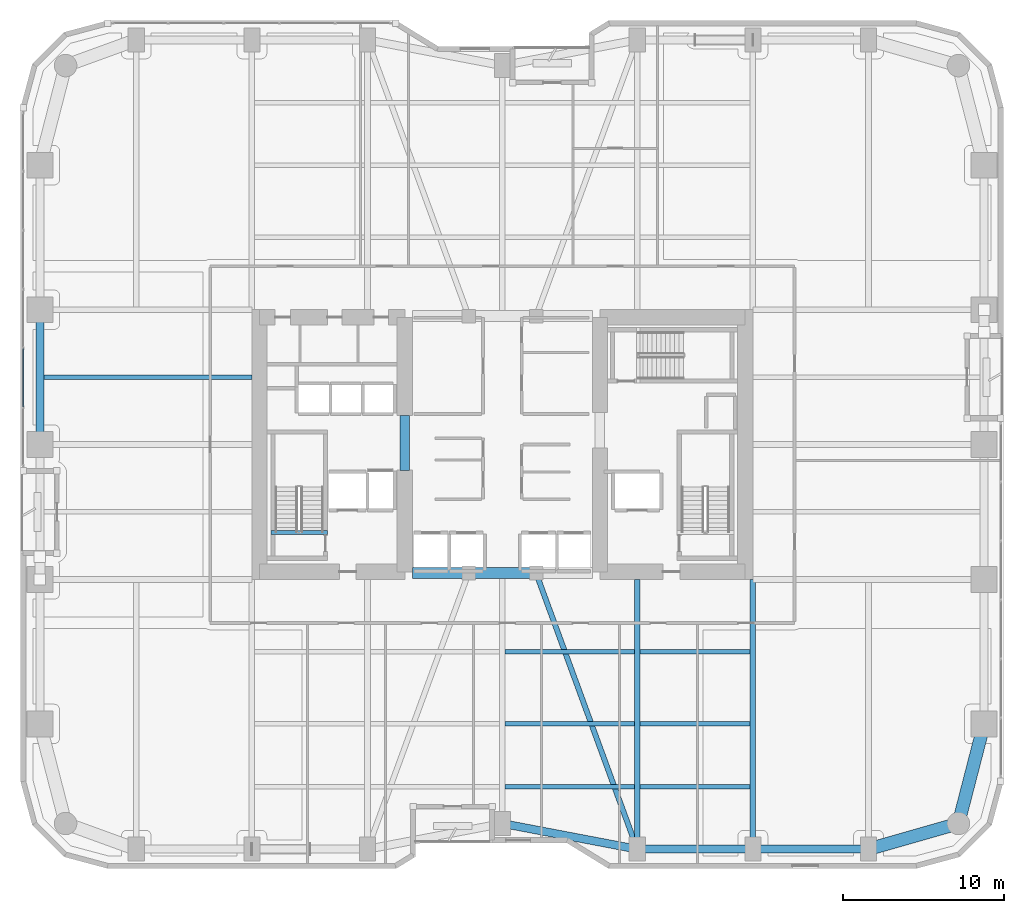
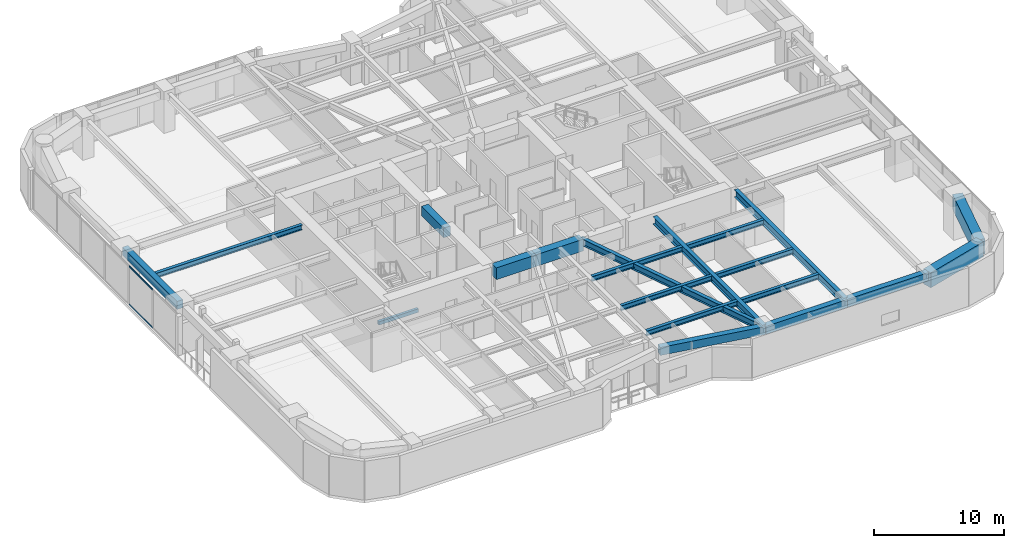
# One storey, part 3 of 29: 20 beams, 2 members, 1 element without a shape of its own.
"""IFC4 building model written with IfcOpenShell, lengths in metres."""

from ifc_helpers import new_model, si_unit, direction, frame, origin, origin_2d, place, context, subcontext, project, spatial, rectangle, hollow_rectangle, i_section, extrude, material, layer, layer_set, material_profile, profile_set, type_object, element, aggregate, save


model = new_model("IFC4")

# Units and contexts
model_context = context("Model", 3, precision=1e-05, world=origin(), true_north=direction((0.0, 1.0)))
body_context = subcontext(model_context, "Body", "Model", "MODEL_VIEW")
ifc_project = project(units=[si_unit("LENGTHUNIT", "METRE"), si_unit("AREAUNIT", "SQUARE_METRE"), si_unit("VOLUMEUNIT", "CUBIC_METRE"), si_unit("PLANEANGLEUNIT", "RADIAN"), si_unit("MASSUNIT", "GRAM", prefix="KILO")], contexts=[model_context])

# Site, building, storey
site_placement = place(None, origin())
site = spatial("IfcSite", under=ifc_project, at=site_placement, CompositionType="ELEMENT")
building_placement = place(site_placement, origin())
building = spatial("IfcBuilding", under=site, at=building_placement, Name="Kiyonajd Concourse Tower", CompositionType="ELEMENT")
storey_placement = place(building_placement, frame((0.0, 0.0, 52.800048828125)))
storey = spatial("IfcBuildingStorey", under=building, at=storey_placement, Name="L14", CompositionType="ELEMENT", Elevation=52.800048828125)

# Beams
ifc_material_1 = material(Name="Concrete C70/85", Category="concrete")
ifc_material_profile_1 = material_profile(ifc_material_1, rectangle(XDim=0.699951171875, YDim=1.10009765625, at=origin_2d()), Name="RCBM-700x1100")
ifc_profile_set_1 = profile_set([ifc_material_profile_1], Name="Concrete C70/85")
beam_type_1 = type_object("IfcBeamType", Name="BM-COUP-1100", PredefinedType="LINTEL", material=ifc_profile_set_1)
beam_1_placement = place(storey_placement, frame((42.39990234375, 28.0, 3.08984375), z_axis=(1.0, 0.0, 0.0), x_axis=(0.0, 1.0, 0.0)))
element("IfcBeam", 1, at=beam_1_placement, inside=storey, type_object=beam_type_1, Name="L14 Core Coupling Beam S1", PredefinedType="LINTEL", context=body_context, shape_type="SweptSolid", body=[
    extrude(rectangle(XDim=0.699951171875, YDim=1.10009765625, at=origin_2d()), origin(), (0.0, 0.0, 1.0), 3.5),
])
beam_2_placement = place(storey_placement, frame((45.89990234375, 28.0, 3.08984375), z_axis=(1.0, 0.0, 0.0), x_axis=(0.0, 1.0, 0.0)))
element("IfcBeam", 2, at=beam_2_placement, inside=storey, type_object=beam_type_1, Name="L14 Core Coupling Beam S2", PredefinedType="LINTEL", context=body_context, shape_type="SweptSolid", body=[
    extrude(rectangle(XDim=0.699951171875, YDim=1.10009765625, at=origin_2d()), origin(), (0.0, 0.0, 1.0), 4.2001953125),
])
ifc_material_2 = material(Name="Concrete C60/75", Category="concrete")
ifc_material_profile_2 = material_profile(ifc_material_2, rectangle(XDim=0.60009765625, YDim=0.89990234375, at=origin_2d()), Name="RCBM-600x900")
ifc_profile_set_2 = profile_set([ifc_material_profile_2], Name="Concrete C60/75")
beam_type_2 = type_object("IfcBeamType", Name="BM-COUP-900", PredefinedType="LINTEL", material=ifc_profile_set_2)
beam_3_placement = place(storey_placement, frame((41.925048828125, 34.39990234375, 3.08984375), z_axis=(0.0, 1.0, 0.0), x_axis=(-1.0, 0.0, 0.0)))
element("IfcBeam", 3, at=beam_3_placement, inside=storey, type_object=beam_type_2, Name="L14 West Core Throat Coupling Lintel", PredefinedType="LINTEL", context=body_context, shape_type="SweptSolid", body=[
    extrude(rectangle(XDim=0.60009765625, YDim=0.89990234375, at=origin_2d()), origin(), (0.0, 0.0, 1.0), 3.400146484375),
])
ifc_material_3 = material(Name="Steel ASTM A992 Grade 50", Category="steel")
ifc_material_profile_3 = material_profile(ifc_material_3, i_section(OverallWidth=0.280029296875, OverallDepth=0.462890625, WebThickness=0.0107421875, FlangeThickness=0.017333984375, at=origin_2d()), Name="W460X113")
ifc_profile_set_3 = profile_set([ifc_material_profile_3], Name="Steel ASTM A992 Grade 50")
beam_type_3 = type_object("IfcBeamType", Name="BM-JST-460A", PredefinedType="JOIST", material=ifc_profile_set_3)
beam_4_placement = place(storey_placement, frame((48.177490234375, 14.699951171875, 3.408447265625), z_axis=(1.0, 0.0, 0.0), x_axis=(0.0, 1.0, 0.0)))
element("IfcBeam", 4, at=beam_4_placement, inside=storey, type_object=beam_type_3, Name="L14 Secondary Floor Joist", PredefinedType="JOIST", context=body_context, shape_type="SweptSolid", body=[
    extrude(i_section(OverallWidth=0.280029296875, OverallDepth=0.462890625, WebThickness=0.0107421875, FlangeThickness=0.017333984375, at=origin_2d()), origin(), (0.0, 0.0, 1.0), 8.044921875),
])
beam_5_placement = place(storey_placement, frame((56.577392578125, 14.699951171875, 3.408447265625), z_axis=(1.0, 0.0, 0.0), x_axis=(0.0, 1.0, 0.0)))
element("IfcBeam", 5, at=beam_5_placement, inside=storey, type_object=beam_type_3, Name="L14 Secondary Floor Joist", PredefinedType="JOIST", context=body_context, shape_type="SweptSolid", body=[
    extrude(i_section(OverallWidth=0.280029296875, OverallDepth=0.462890625, WebThickness=0.0107421875, FlangeThickness=0.017333984375, at=origin_2d()), origin(), (0.0, 0.0, 1.0), 6.84521484375),
])
beam_6_placement = place(storey_placement, frame((48.177490234375, 18.60009765625, 3.408447265625), z_axis=(1.0, 0.0, 0.0), x_axis=(0.0, 1.0, 0.0)))
element("IfcBeam", 6, at=beam_6_placement, inside=storey, type_object=beam_type_3, Name="L14 Secondary Floor Joist", PredefinedType="JOIST", context=body_context, shape_type="SweptSolid", body=[
    extrude(i_section(OverallWidth=0.280029296875, OverallDepth=0.462890625, WebThickness=0.0107421875, FlangeThickness=0.017333984375, at=origin_2d()), origin(), (0.0, 0.0, 1.0), 8.044921875),
])
beam_7_placement = place(storey_placement, frame((56.577392578125, 18.60009765625, 3.408447265625), z_axis=(1.0, 0.0, 0.0), x_axis=(0.0, 1.0, 0.0)))
element("IfcBeam", 7, at=beam_7_placement, inside=storey, type_object=beam_type_3, Name="L14 Secondary Floor Joist", PredefinedType="JOIST", context=body_context, shape_type="SweptSolid", body=[
    extrude(i_section(OverallWidth=0.280029296875, OverallDepth=0.462890625, WebThickness=0.0107421875, FlangeThickness=0.017333984375, at=origin_2d()), origin(), (0.0, 0.0, 1.0), 6.84521484375),
])
beam_8_placement = place(storey_placement, frame((48.177490234375, 23.10009765625, 3.408447265625), z_axis=(1.0, 0.0, 0.0), x_axis=(0.0, 1.0, 0.0)))
element("IfcBeam", 8, at=beam_8_placement, inside=storey, type_object=beam_type_3, Name="L14 Secondary Floor Joist", PredefinedType="JOIST", context=body_context, shape_type="SweptSolid", body=[
    extrude(i_section(OverallWidth=0.280029296875, OverallDepth=0.462890625, WebThickness=0.0107421875, FlangeThickness=0.017333984375, at=origin_2d()), origin(), (0.0, 0.0, 1.0), 8.044921875),
])
beam_9_placement = place(storey_placement, frame((56.577392578125, 23.10009765625, 3.408447265625), z_axis=(1.0, 0.0, 0.0), x_axis=(0.0, 1.0, 0.0)))
element("IfcBeam", 9, at=beam_9_placement, inside=storey, type_object=beam_type_3, Name="L14 Secondary Floor Joist", PredefinedType="JOIST", context=body_context, shape_type="SweptSolid", body=[
    extrude(i_section(OverallWidth=0.280029296875, OverallDepth=0.462890625, WebThickness=0.0107421875, FlangeThickness=0.017333984375, at=origin_2d()), origin(), (0.0, 0.0, 1.0), 6.84521484375),
])
beam_10_placement = place(storey_placement, frame((19.449951171875, 40.199951171875, 3.408447265625), z_axis=(1.0, 0.0, 0.0), x_axis=(0.0, 1.0, 0.0)))
element("IfcBeam", 10, at=beam_10_placement, inside=storey, type_object=beam_type_3, Name="L14 West Secondary Floor Joist", PredefinedType="JOIST", context=body_context, shape_type="SweptSolid", body=[
    extrude(i_section(OverallWidth=0.280029296875, OverallDepth=0.462890625, WebThickness=0.0107421875, FlangeThickness=0.017333984375, at=origin_2d()), origin(), (0.0, 0.0, 1.0), 12.949951171875),
])
ifc_material_4 = material(Name="Concrete C50/60", Category="concrete")
ifc_material_profile_4 = material_profile(ifc_material_4, rectangle(XDim=0.239990234375, YDim=0.320068359375, at=origin_2d()), Name="RCBM-240x320")
ifc_profile_set_4 = profile_set([ifc_material_profile_4], Name="Concrete C50/60")
beam_type_4 = type_object("IfcBeamType", Name="BM-LNT-250", PredefinedType="LINTEL", material=ifc_profile_set_4)
beam_11_placement = place(storey_placement, frame((33.590087890625, 30.530029296875, -0.16015625), z_axis=(1.0, 0.0, 0.0), x_axis=(0.0, 1.0, 0.0)))
element("IfcBeam", 11, at=beam_11_placement, inside=storey, type_object=beam_type_4, Name="L14 Stair ST1 Threshold Support Beam", PredefinedType="LINTEL", context=body_context, shape_type="SweptSolid", body=[
    extrude(rectangle(XDim=0.239990234375, YDim=0.320068359375, at=origin_2d()), origin(), (0.0, 0.0, 1.0), 3.52001953125),
])
ifc_material_5 = material(Name="Precast concrete C50/60", Category="concrete")
ifc_material_profile_5 = material_profile(ifc_material_5, rectangle(XDim=0.5, YDim=0.75, at=origin_2d()), Name="RCBM-500x750")
ifc_profile_set_5 = profile_set([ifc_material_profile_5], Name="Precast concrete C50/60")
beam_type_5 = type_object("IfcBeamType", Name="BM-SPAN-RC", PredefinedType="SPANDREL", material=ifc_profile_set_5)
beam_12_placement = place(storey_placement, frame((48.0, 12.39990234375, 3.264892578125), z_axis=(0.982341315253, -0.187097675953, 0.0), x_axis=(0.187097675953, 0.982341315253, 0.0)))
element("IfcBeam", 12, at=beam_12_placement, inside=storey, type_object=beam_type_5, Name="L14 Perimeter Bundled Tube Spandrel", PredefinedType="SPANDREL", context=body_context, shape_type="SweptSolid", body=[
    extrude(rectangle(XDim=0.5, YDim=0.75, at=origin_2d()), origin(), (0.0, 0.0, 1.0), 8.55078125),
])
beam_13_placement = place(storey_placement, frame((56.39990234375, 10.800048828125, 3.264892578125), z_axis=(1.0, 0.0, 0.0), x_axis=(0.0, 1.0, 0.0)))
element("IfcBeam", 13, at=beam_13_placement, inside=storey, type_object=beam_type_5, Name="L14 Perimeter Bundled Tube Spandrel", PredefinedType="SPANDREL", context=body_context, shape_type="SweptSolid", body=[
    extrude(rectangle(XDim=0.5, YDim=0.75, at=origin_2d()), origin(), (0.0, 0.0, 1.0), 7.2001953125),
])
beam_14_placement = place(storey_placement, frame((63.60009765625, 10.800048828125, 3.264892578125), z_axis=(1.0, 0.0, 0.0), x_axis=(0.0, 1.0, 0.0)))
element("IfcBeam", 14, at=beam_14_placement, inside=storey, type_object=beam_type_5, Name="L14 Perimeter Bundled Tube Spandrel", PredefinedType="SPANDREL", context=body_context, shape_type="SweptSolid", body=[
    extrude(rectangle(XDim=0.5, YDim=0.75, at=origin_2d()), origin(), (0.0, 0.0, 1.0), 7.199951171875),
])
beam_15_placement = place(storey_placement, frame((19.199951171875, 44.39990234375, 3.264892578125), z_axis=(0.0, -1.0, 0.0), x_axis=(1.0, 0.0, 0.0)))
element("IfcBeam", 15, at=beam_15_placement, inside=storey, type_object=beam_type_5, Name="L14 Perimeter Bundled Tube Spandrel", PredefinedType="SPANDREL", context=body_context, shape_type="SweptSolid", body=[
    extrude(rectangle(XDim=0.5, YDim=0.75, at=origin_2d()), origin(), (0.0, 0.0, 1.0), 8.39990234375),
])
ifc_material_profile_6 = material_profile(ifc_material_3, i_section(OverallWidth=0.326904296875, OverallDepth=0.6220703125, WebThickness=0.015380859375, FlangeThickness=0.0244140625, at=origin_2d()), Name="W610X195")
ifc_profile_set_6 = profile_set([ifc_material_profile_6], Name="Steel ASTM A992 Grade 50")
beam_type_6 = type_object("IfcBeamType", Name="BM-TWR-610A", PredefinedType="BEAM", material=ifc_profile_set_6)
beam_16_placement = place(storey_placement, frame((50.10009765625, 28.0, 3.328857421875), z_axis=(0.343925269715, -0.938997022813, 0.0), x_axis=(0.938997022813, 0.343925269715, 0.0)))
element("IfcBeam", 16, at=beam_16_placement, inside=storey, type_object=beam_type_6, Name="L14 Core Tie Girder", PredefinedType="BEAM", context=body_context, shape_type="SweptSolid", body=[
    extrude(i_section(OverallWidth=0.326904296875, OverallDepth=0.6220703125, WebThickness=0.015380859375, FlangeThickness=0.0244140625, at=origin_2d()), origin(), (0.0, 0.0, 1.0), 18.3173828125),
])
ifc_material_profile_7 = material_profile(ifc_material_3, i_section(OverallWidth=0.35498046875, OverallDepth=0.695068359375, WebThickness=0.015380859375, FlangeThickness=0.02490234375, at=origin_2d()), Name="W690X217")
ifc_profile_set_7 = profile_set([ifc_material_profile_7], Name="Steel ASTM A992 Grade 50")
beam_type_7 = type_object("IfcBeamType", Name="BM-TWR-690", PredefinedType="BEAM", material=ifc_profile_set_7)
for number, where, z_axis, x_axis, name in (
    (17, (56.39990234375, 10.800048828125, 3.29248046875), (0.0, 1.0, 0.0), (-1.0, 0.0, 0.0), "L14 South Lease Girder"),
    (18, (63.60009765625, 10.800048828125, 3.29248046875), (0.0, 1.0, 0.0), (-1.0, 0.0, 0.0), "L14 South Lease Girder"),
):
    element("IfcBeam", number, at=place(storey_placement, frame(where, z_axis=z_axis, x_axis=x_axis)), inside=storey, type_object=beam_type_7, Name=name, PredefinedType="BEAM", context=body_context, shape_type="SweptSolid", body=[
        extrude(i_section(OverallWidth=0.35498046875, OverallDepth=0.695068359375, WebThickness=0.015380859375, FlangeThickness=0.02490234375, at=origin_2d()), origin(), (0.0, 0.0, 1.0), 16.800048828125),
    ])
ifc_material_profile_8 = material_profile(ifc_material_2, rectangle(XDim=0.800048828125, YDim=1.39990234375, at=origin_2d()), Name="RCBM-800x1400")
ifc_profile_set_8 = profile_set([ifc_material_profile_8], Name="Concrete C60/75")
beam_type_8 = type_object("IfcBeamType", Name="BM-XFER-RC", PredefinedType="BEAM", material=ifc_profile_set_8)
beam_17_placement = place(storey_placement, frame((70.800048828125, 10.800048828125, 2.93994140625), z_axis=(0.961528693205, 0.274704517878, 0.0), x_axis=(-0.274704517878, 0.961528693205, 0.0)))
element("IfcBeam", 19, at=beam_17_placement, inside=storey, type_object=beam_type_8, Name="L14 Perimeter Bundled Tube Spandrel", PredefinedType="BEAM", context=body_context, shape_type="SweptSolid", body=[
    extrude(rectangle(XDim=0.800048828125, YDim=1.39990234375, at=origin_2d()), origin(), (0.0, 0.0, 1.0), 5.823974609375),
])
beam_18_placement = place(storey_placement, frame((76.39990234375, 12.39990234375, 2.93994140625), z_axis=(0.249884937687, 0.968275538221, 0.0), x_axis=(-0.968275538221, 0.249884937687, 0.0)))
element("IfcBeam", 20, at=beam_18_placement, inside=storey, type_object=beam_type_8, Name="L14 Perimeter Bundled Tube Spandrel", PredefinedType="BEAM", context=body_context, shape_type="SweptSolid", body=[
    extrude(rectangle(XDim=0.800048828125, YDim=1.39990234375, at=origin_2d()), origin(), (0.0, 0.0, 1.0), 6.4033203125),
])

# Curtain wall, members
ifc_material_6 = material(Name="Thermally Broken Anodised Aluminium", Category="aluminium")
ifc_layer = layer(ifc_material_6, 0.179931640625)
ifc_layer_set = layer_set([ifc_layer], Name="Thermally Broken Anodised Aluminium")
curtain_wall_type = type_object("IfcCurtainWallType", Name="CW-SYS-02", PredefinedType="NOTDEFINED", material=ifc_layer_set)
curtain_wall_placement = place(storey_placement, origin())
curtain_wall = element("IfcCurtainWall", 21, at=curtain_wall_placement, inside=storey, type_object=curtain_wall_type, Name="L14 Unitised Curtain Wall CW2", PredefinedType="NOTDEFINED")
ifc_material_profile_9 = material_profile(ifc_material_6, hollow_rectangle(XDim=0.06494140625, YDim=0.139892578125, WallThickness=0.00390625, at=origin_2d()), Name="TRAN-65x140")
ifc_profile_set_9 = profile_set([ifc_material_profile_9], Name="Thermally Broken Anodised Aluminium")
member_type = type_object("IfcMemberType", Name="MB-CW-TRAN1", PredefinedType="USERDEFINED", material=ifc_profile_set_9)
member_1_placement = place(storey_placement, frame((18.159912109375, 38.355712890625, 0.032470703125), z_axis=(0.0, 1.0, 0.0), x_axis=(-1.0, 0.0, 0.0)))
member_1 = element("IfcMember", 22, at=member_1_placement, type_object=member_type, Name="CW2 transom 2.1", ObjectType="TRANSOM", PredefinedType="USERDEFINED", context=body_context, shape_type="SweptSolid", body=[
    extrude(hollow_rectangle(XDim=0.06494140625, YDim=0.139892578125, WallThickness=0.00390625, at=origin_2d()), origin(), (0.0, 0.0, 1.0), 3.608154296875),
])
member_2_placement = place(storey_placement, frame((18.159912109375, 38.355712890625, 3.607421875), z_axis=(0.0, 1.0, 0.0), x_axis=(-1.0, 0.0, 0.0)))
member_2 = element("IfcMember", 23, at=member_2_placement, type_object=member_type, Name="CW2 transom 2.2", ObjectType="TRANSOM", PredefinedType="USERDEFINED", context=body_context, shape_type="SweptSolid", body=[
    extrude(hollow_rectangle(XDim=0.06494140625, YDim=0.139892578125, WallThickness=0.00390625, at=origin_2d()), origin(), (0.0, 0.0, 1.0), 3.608154296875),
])
aggregate(curtain_wall, [member_1, member_2])

save(model, "model.ifc")
